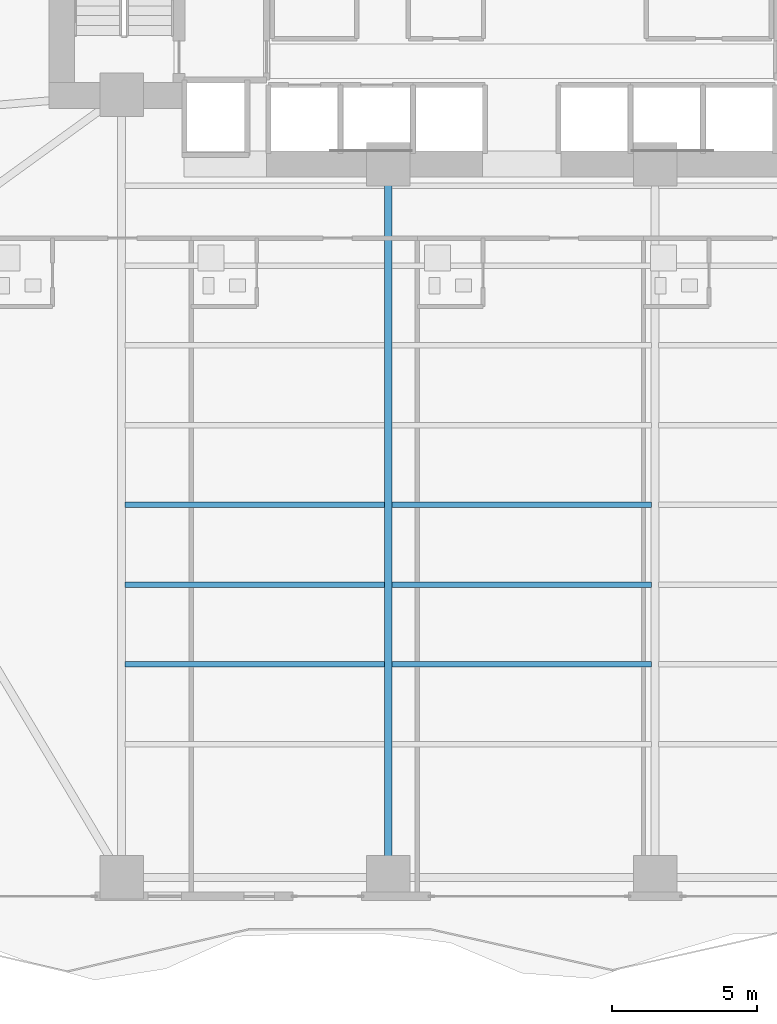
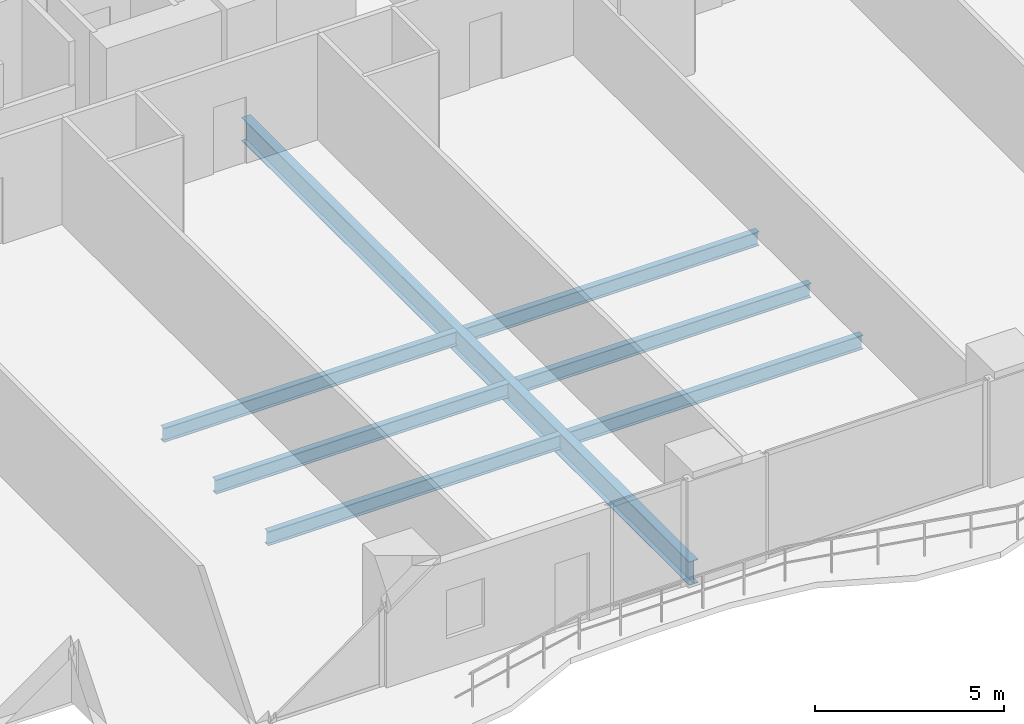
# One storey, part 5 of 28: 7 beams.
"""IFC4 building model written with IfcOpenShell, lengths in metres."""

import ifcopenshell
import ifcopenshell.guid

model = None  # the IFC model being written
_history = None  # IfcOwnerHistory: only IFC2X3 demands one
_inside = {}  # id of a spatial element -> (the spatial element, [elements in it])
_under = {}  # id of a project, library or spatial element -> (it, [spatial elements below it])
_declared = {}  # id of a project -> (the project, [libraries it declares])
_typed = {}  # id of a type object -> (the type object, [elements of that type])
_made_of = {}  # id of a material, layer set ... -> (it, [elements and type objects made of it])


def new_model(schema):
    """Start an empty IFC model of exactly this schema.

    Asked for "IFC4X3", IfcOpenShell would pick the latest addendum, in which some entities
    have other attributes; the version numbers below select the first issue.
    IFC2X3 requires an IfcOwnerHistory on every rooted entity: one is made here for all.
    """
    global model, _history
    if schema == "IFC4X3":
        model = ifcopenshell.file(schema_version=(4, 3, 0, 0))
    else:
        model = ifcopenshell.file(schema=schema)
    _inside.clear()
    _under.clear()
    _declared.clear()
    _typed.clear()
    _made_of.clear()
    _history = None
    if model.schema == "IFC2X3":
        org = make("IfcOrganization", Name="unknown")
        user = make(
            "IfcPersonAndOrganization",
            ThePerson=make("IfcPerson", FamilyName="unknown"),
            TheOrganization=org,
        )
        app = make(
            "IfcApplication",
            ApplicationDeveloper=org,
            Version="unknown",
            ApplicationFullName="unknown",
            ApplicationIdentifier="unknown",
        )
        _history = make(
            "IfcOwnerHistory",
            OwningUser=user,
            OwningApplication=app,
            ChangeAction="ADDED",
            CreationDate=0,
        )
    return model


def make(cls, **values):
    """One entity of the class cls with the attributes given. An attribute that is None is left unset."""
    return model.create_entity(
        cls, **{name: value for name, value in values.items() if value is not None}
    )


def rooted(cls, **values):
    """An entity with a GlobalId (a new one), such as an element, a storey or a relation."""
    return make(cls, GlobalId=ifcopenshell.guid.new(), OwnerHistory=_history, **values)


def si_unit(unit_type, name, prefix=None):
    """IfcSIUnit, for example si_unit("LENGTHUNIT", "METRE", prefix="MILLI")."""
    return make("IfcSIUnit", UnitType=unit_type, Prefix=prefix, Name=name)


def assignment(units):
    """IfcUnitAssignment: the units of a project."""
    return None if units is None else make("IfcUnitAssignment", Units=units)


def point(xyz):
    """IfcCartesianPoint."""
    return None if xyz is None else make("IfcCartesianPoint", Coordinates=xyz)


def direction(xyz):
    """IfcDirection."""
    return None if xyz is None else make("IfcDirection", DirectionRatios=xyz)


def frame(location, z_axis=None, x_axis=None):
    """IfcAxis2Placement3D, a coordinate frame: its origin and axes. An axis left out is left unset."""
    return make(
        "IfcAxis2Placement3D",
        Location=point(location),
        Axis=direction(z_axis),
        RefDirection=direction(x_axis),
    )


def frame_2d(location, x_axis=None):
    """IfcAxis2Placement2D, a coordinate frame in the plane: its origin and x axis."""
    return make(
        "IfcAxis2Placement2D", Location=point(location), RefDirection=direction(x_axis)
    )


def origin():
    """The frame at (0, 0, 0) with its axes left unset."""
    return frame((0.0, 0.0, 0.0))


def origin_2d():
    """The frame at (0, 0) in the plane with its x axis left unset."""
    return frame_2d((0.0, 0.0))


def place(relative_to, where):
    """IfcLocalPlacement: puts the frame where relative to a parent placement (None: the world)."""
    return make(
        "IfcLocalPlacement", PlacementRelTo=relative_to, RelativePlacement=where
    )


def context(
    kind, dimensions, precision=None, world=None, true_north=None, identifier=None
):
    """IfcGeometricRepresentationContext, for example the 3D "Model" context."""
    return make(
        "IfcGeometricRepresentationContext",
        ContextIdentifier=identifier,
        ContextType=kind,
        CoordinateSpaceDimension=dimensions,
        Precision=precision,
        WorldCoordinateSystem=world,
        TrueNorth=true_north,
    )


def subcontext(parent, identifier, kind, view, scale=None):
    """IfcGeometricRepresentationSubContext, for example "Body" below "Model"."""
    return make(
        "IfcGeometricRepresentationSubContext",
        ContextIdentifier=identifier,
        ContextType=kind,
        ParentContext=parent,
        TargetScale=scale,
        TargetView=view,
    )


def project(units=None, contexts=None):
    """IfcProject with its units and contexts."""
    return rooted(
        "IfcProject",
        Name="project",
        RepresentationContexts=contexts,
        UnitsInContext=assignment(units),
    )


def spatial(cls, under=None, at=None, **own):
    """A site, building, storey or space (cls), placed at a placement, below another one or the project."""
    s = rooted(cls, ObjectPlacement=at, **own)
    if under is not None:
        _under.setdefault(under.id(), (under, []))[1].append(s)
    return s


def profile(cls, at=None, kind="AREA", **sizes):
    """A parametric profile (cls). Its sizes go by their IFC names, for example OverallWidth=200.0."""
    return make(cls, ProfileType=kind, Position=at, **sizes)


def i_section(**sizes):
    """IfcIShapeProfileDef."""
    return profile("IfcIShapeProfileDef", **sizes)


def extrude(swept, where, along, depth):
    """IfcExtrudedAreaSolid: the profile swept, set in the frame where, extruded along a direction by depth."""
    return make(
        "IfcExtrudedAreaSolid",
        SweptArea=swept,
        Position=where,
        ExtrudedDirection=direction(along),
        Depth=depth,
    )


def shape(context_of_items, identifier, shape_type, items):
    """IfcShapeRepresentation: the items that make up one representation, for example the "Body"."""
    return make(
        "IfcShapeRepresentation",
        ContextOfItems=context_of_items,
        RepresentationIdentifier=identifier,
        RepresentationType=shape_type,
        Items=items,
    )


def material(Name=None, Category=None):
    """IfcMaterial."""
    return make("IfcMaterial", Name=Name, Category=Category)


def material_profile(
    of_material, cross_section, Name=None, Category=None, Priority=None
):
    """IfcMaterialProfile: a cross section and its material."""
    return make(
        "IfcMaterialProfile",
        Name=Name,
        Material=of_material,
        Profile=cross_section,
        Priority=Priority,
        Category=Category,
    )


def profile_set(profiles, Name=None, composite=None):
    """IfcMaterialProfileSet."""
    return make(
        "IfcMaterialProfileSet",
        Name=Name,
        MaterialProfiles=profiles,
        CompositeProfile=composite,
    )


def made_of(thing, what):
    """Note that an element or type object is made of a material, layer set ...; save() writes the relation."""
    if what is not None:
        _made_of.setdefault(what.id(), (what, []))[1].append(thing)
    return thing


def type_object(cls, material=None, **own):
    """A type object (cls), such as IfcWallType, which elements share."""
    return made_of(rooted(cls, **own), material)


def element(
    cls,
    number,
    at=None,
    inside=None,
    cuts=None,
    type_object=None,
    material=None,
    context=None,
    identifier="Body",
    shape_type=None,
    held_by="IfcProductDefinitionShape",
    body=None,
    shapes=None,
    **own,
):
    """One element of the class cls, such as IfcWall. Its Tag is "e" and its number.

    at: its placement. inside: the storey or other place that contains it. cuts: it is an
    opening in that element (IfcRelVoidsElement). A single representation is given by context,
    identifier, shape_type and body (its items); several are given by shapes. held_by: the class
    of the entity that holds the representations. save() writes the other relations.
    """
    e = rooted(cls, Tag="e%d" % number, ObjectPlacement=at, **own)
    if body is not None:
        shapes = [shape(context, identifier, shape_type, body)]
    if shapes is not None:
        e.Representation = make(held_by, Representations=shapes)
    if inside is not None:
        _inside.setdefault(inside.id(), (inside, []))[1].append(e)
    if cuts is not None:
        rooted(
            "IfcRelVoidsElement", RelatingBuildingElement=cuts, RelatedOpeningElement=e
        )
    if type_object is not None:
        _typed.setdefault(type_object.id(), (type_object, []))[1].append(e)
    return made_of(e, material)


def aggregate(whole, parts):
    """IfcRelAggregates: a whole, such as a stair, and the parts it consists of."""
    return rooted("IfcRelAggregates", RelatingObject=whole, RelatedObjects=parts)


def save(model, path):
    """Write the relations noted so far, then the file.

    IfcRelAggregates (storeys below a building ...), IfcRelContainedInSpatialStructure (elements
    in a storey), IfcRelDefinesByType, IfcRelAssociatesMaterial and IfcRelDeclares: one each for
    every whole, place, type object, material and project.
    """
    for whole, parts in _under.values():
        aggregate(whole, parts)
    for where, things in _inside.values():
        rooted(
            "IfcRelContainedInSpatialStructure",
            RelatedElements=things,
            RelatingStructure=where,
        )
    for kind, things in _typed.values():
        rooted("IfcRelDefinesByType", RelatedObjects=things, RelatingType=kind)
    for what, things in _made_of.values():
        rooted("IfcRelAssociatesMaterial", RelatedObjects=things, RelatingMaterial=what)
    for by, libraries in _declared.values():
        rooted("IfcRelDeclares", RelatingContext=by, RelatedDefinitions=libraries)
    model.write(path)


model = new_model("IFC4")

# Units and contexts
model_context = context("Model", 3, precision=1e-05, world=origin(), true_north=direction((0.0, 1.0)))
body_context = subcontext(model_context, "Body", "Model", "MODEL_VIEW")
ifc_project = project(units=[si_unit("LENGTHUNIT", "METRE"), si_unit("AREAUNIT", "SQUARE_METRE"), si_unit("VOLUMEUNIT", "CUBIC_METRE"), si_unit("PLANEANGLEUNIT", "RADIAN"), si_unit("MASSUNIT", "GRAM", prefix="KILO")], contexts=[model_context])

# Site, building, storey
site_placement = place(None, origin())
site = spatial("IfcSite", under=ifc_project, at=site_placement, CompositionType="ELEMENT")
building_placement = place(site_placement, origin())
building = spatial("IfcBuilding", under=site, at=building_placement, Name="Zuhayl Quay Hotel", CompositionType="ELEMENT")
storey_placement = place(building_placement, frame((0.0, 0.0, 56.800048828125)))
storey = spatial("IfcBuildingStorey", under=building, at=storey_placement, Name="L13", CompositionType="ELEMENT", Elevation=56.800048828125)

# Beams
ifc_material = material(Name="Steel ASTM A992 Grade 50", Category="steel")
ifc_material_profile_1 = material_profile(ifc_material, i_section(OverallWidth=0.26708984375, OverallDepth=0.761962890625, WebThickness=0.014404296875, FlangeThickness=0.021484375, at=origin_2d()), Name="W30X116")
ifc_profile_set_1 = profile_set([ifc_material_profile_1], Name="Steel ASTM A992 Grade 50")
beam_type_1 = type_object("IfcBeamType", Name="BM_B1_W30X116", PredefinedType="BEAM", material=ifc_profile_set_1)
beam_1_placement = place(storey_placement, frame((-4.60009765625, -21.949951171875, -0.60107421875), z_axis=(0.0, 1.0, 0.0), x_axis=(-1.0, 0.0, 0.0)))
element("IfcBeam", 1, at=beam_1_placement, inside=storey, type_object=beam_type_1, Name="L13 Floor Beam FG_S_L13_2", PredefinedType="BEAM", context=body_context, shape_type="SweptSolid", body=[
    extrude(i_section(OverallWidth=0.26708984375, OverallDepth=0.761962890625, WebThickness=0.014404296875, FlangeThickness=0.021484375, at=origin_2d()), origin(), (0.0, 0.0, 1.0), 23.64990234375),
])
ifc_material_profile_2 = material_profile(ifc_material, i_section(OverallWidth=0.18994140625, OverallDepth=0.45703125, WebThickness=0.009033203125, FlangeThickness=0.014404296875, at=origin_2d()), Name="W18X50")
ifc_profile_set_2 = profile_set([ifc_material_profile_2], Name="Steel ASTM A992 Grade 50")
beam_type_2 = type_object("IfcBeamType", Name="BM_J2_W18X50", PredefinedType="JOIST", material=ifc_profile_set_2)
beam_2_placement = place(storey_placement, frame((-13.674560546875, -15.10009765625, -0.448486328125), z_axis=(1.0, 0.0, 0.0), x_axis=(0.0, 1.0, 0.0)))
element("IfcBeam", 2, at=beam_2_placement, inside=storey, type_object=beam_type_2, Name="L13 Floor Beam FJ_L13_4_1", PredefinedType="JOIST", context=body_context, shape_type="SweptSolid", body=[
    extrude(i_section(OverallWidth=0.18994140625, OverallDepth=0.45703125, WebThickness=0.009033203125, FlangeThickness=0.014404296875, at=origin_2d()), origin(), (0.0, 0.0, 1.0), 8.948974609375),
])
beam_3_placement = place(storey_placement, frame((-4.474609375, -15.10009765625, -0.448486328125), z_axis=(1.0, 0.0, 0.0), x_axis=(0.0, 1.0, 0.0)))
element("IfcBeam", 3, at=beam_3_placement, inside=storey, type_object=beam_type_2, Name="L13 Floor Beam FJ_L13_4_2", PredefinedType="JOIST", context=body_context, shape_type="SweptSolid", body=[
    extrude(i_section(OverallWidth=0.18994140625, OverallDepth=0.45703125, WebThickness=0.009033203125, FlangeThickness=0.014404296875, at=origin_2d()), origin(), (0.0, 0.0, 1.0), 8.94921875),
])
beam_4_placement = place(storey_placement, frame((-13.674560546875, -12.35009765625, -0.448486328125), z_axis=(1.0, 0.0, 0.0), x_axis=(0.0, 1.0, 0.0)))
element("IfcBeam", 4, at=beam_4_placement, inside=storey, type_object=beam_type_2, Name="L13 Floor Beam FJ_L13_5_1", PredefinedType="JOIST", context=body_context, shape_type="SweptSolid", body=[
    extrude(i_section(OverallWidth=0.18994140625, OverallDepth=0.45703125, WebThickness=0.009033203125, FlangeThickness=0.014404296875, at=origin_2d()), origin(), (0.0, 0.0, 1.0), 8.948974609375),
])
beam_5_placement = place(storey_placement, frame((-4.474609375, -12.35009765625, -0.448486328125), z_axis=(1.0, 0.0, 0.0), x_axis=(0.0, 1.0, 0.0)))
element("IfcBeam", 5, at=beam_5_placement, inside=storey, type_object=beam_type_2, Name="L13 Floor Beam FJ_L13_5_2", PredefinedType="JOIST", context=body_context, shape_type="SweptSolid", body=[
    extrude(i_section(OverallWidth=0.18994140625, OverallDepth=0.45703125, WebThickness=0.009033203125, FlangeThickness=0.014404296875, at=origin_2d()), origin(), (0.0, 0.0, 1.0), 8.94921875),
])
beam_6_placement = place(storey_placement, frame((-13.674560546875, -9.60009765625, -0.448486328125), z_axis=(1.0, 0.0, 0.0), x_axis=(0.0, 1.0, 0.0)))
element("IfcBeam", 6, at=beam_6_placement, inside=storey, type_object=beam_type_2, Name="L13 Floor Beam FJ_L13_6_1", PredefinedType="JOIST", context=body_context, shape_type="SweptSolid", body=[
    extrude(i_section(OverallWidth=0.18994140625, OverallDepth=0.45703125, WebThickness=0.009033203125, FlangeThickness=0.014404296875, at=origin_2d()), origin(), (0.0, 0.0, 1.0), 8.948974609375),
])
beam_7_placement = place(storey_placement, frame((-4.474609375, -9.60009765625, -0.448486328125), z_axis=(1.0, 0.0, 0.0), x_axis=(0.0, 1.0, 0.0)))
element("IfcBeam", 7, at=beam_7_placement, inside=storey, type_object=beam_type_2, Name="L13 Floor Beam FJ_L13_6_2", PredefinedType="JOIST", context=body_context, shape_type="SweptSolid", body=[
    extrude(i_section(OverallWidth=0.18994140625, OverallDepth=0.45703125, WebThickness=0.009033203125, FlangeThickness=0.014404296875, at=origin_2d()), origin(), (0.0, 0.0, 1.0), 8.94921875),
])

save(model, "model.ifc")
